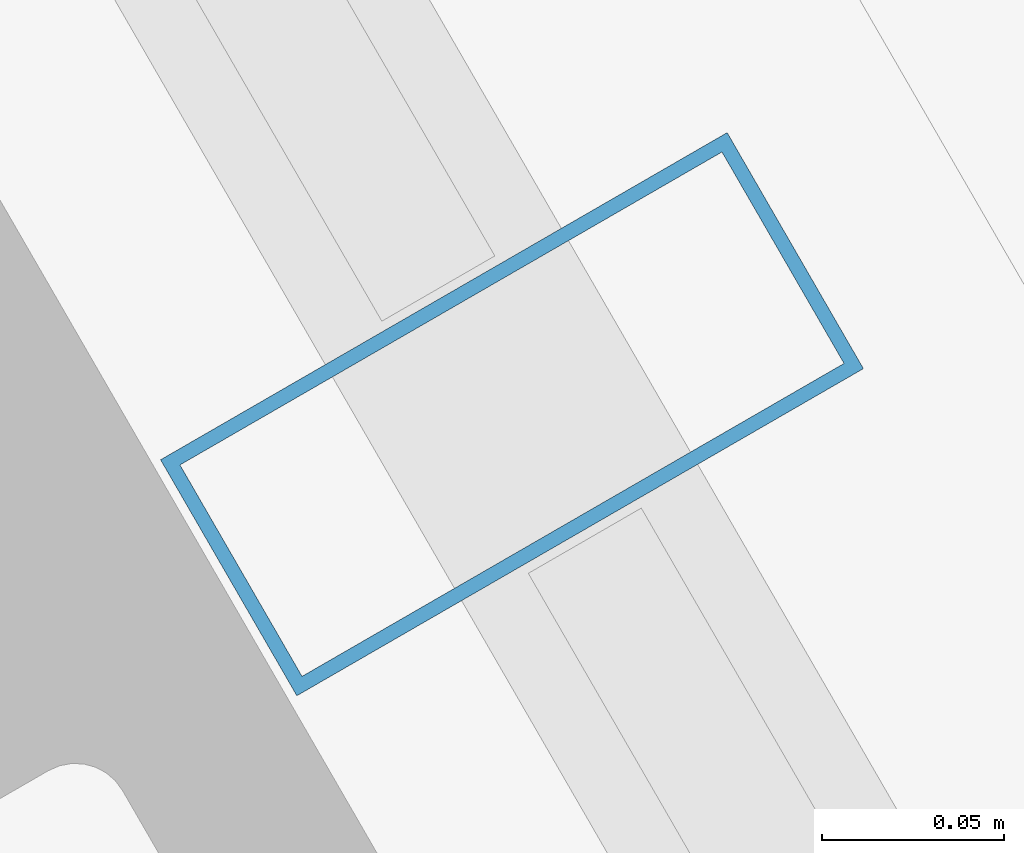
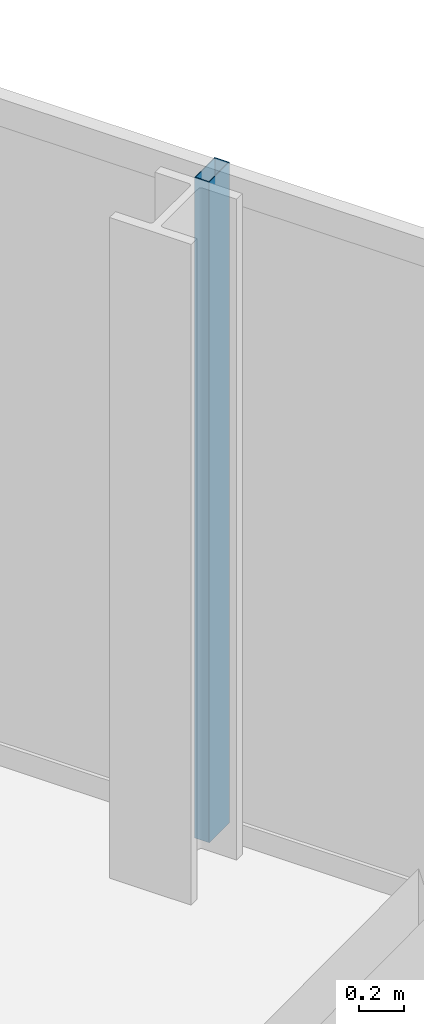
# One storey, part 18 of 33: 1 member, 1 element without a shape of its own.
"""IFC4 building model written with IfcOpenShell, lengths in metres."""

from ifc_helpers import new_model, si_unit, direction, frame, origin, origin_2d, place, context, subcontext, project, spatial, hollow_rectangle, extrude, material, layer, layer_set, material_profile, profile_set, type_object, element, aggregate, save


model = new_model("IFC4")

# Units and contexts
model_context = context("Model", 3, precision=1e-05, world=origin(), true_north=direction((0.0, 1.0)))
body_context = subcontext(model_context, "Body", "Model", "MODEL_VIEW")
ifc_project = project(units=[si_unit("LENGTHUNIT", "METRE"), si_unit("AREAUNIT", "SQUARE_METRE"), si_unit("VOLUMEUNIT", "CUBIC_METRE"), si_unit("PLANEANGLEUNIT", "RADIAN"), si_unit("MASSUNIT", "GRAM", prefix="KILO")], contexts=[model_context])

# Site, building, storey
site_placement = place(None, origin())
site = spatial("IfcSite", under=ifc_project, at=site_placement, CompositionType="ELEMENT")
building_placement = place(site_placement, origin())
building = spatial("IfcBuilding", under=site, at=building_placement, Name="Ndaravel Arena Tower", CompositionType="ELEMENT")
storey_placement = place(building_placement, frame((0.0, 0.0, 161.199951171875)))
storey = spatial("IfcBuildingStorey", under=building, at=storey_placement, Name="L38", CompositionType="ELEMENT", Elevation=161.199951171875)

# Curtain wall, member
ifc_material_1 = material(Name="Aluminium", Category="aluminium")
ifc_layer = layer(ifc_material_1, 0.179931640625)
ifc_layer_set = layer_set([ifc_layer], Name="Aluminium")
curtain_wall_type = type_object("IfcCurtainWallType", Name="CW-SYS-03", PredefinedType="NOTDEFINED", material=ifc_layer_set)
curtain_wall_placement = place(storey_placement, origin())
curtain_wall = element("IfcCurtainWall", 1, at=curtain_wall_placement, inside=storey, type_object=curtain_wall_type, Name="L38 Faceted Crystal Curtain Wall CW-L38-E03", PredefinedType="NOTDEFINED")
ifc_material_2 = material(Name="Aluminium", Category="aluminium")
ifc_material_profile = material_profile(ifc_material_2, hollow_rectangle(XDim=0.074951171875, YDim=0.179931640625, WallThickness=0.00390625, at=origin_2d()), Name="CW MULLION 75x180x4")
ifc_profile_set = profile_set([ifc_material_profile], Name="Aluminium")
member_type = type_object("IfcMemberType", Name="MEM-CW-MUL180", PredefinedType="MULLION", material=ifc_profile_set)
member_placement = place(storey_placement, frame((56.500244140625, 30.275146484375, 0.0), z_axis=(0.0, 0.0, 1.0), x_axis=(-0.5, 0.866025403784, 0.0)))
member = element("IfcMember", 2, at=member_placement, type_object=member_type, Name="CW-L38-E03 Mullion 04", PredefinedType="MULLION", context=body_context, shape_type="SweptSolid", body=[
    extrude(hollow_rectangle(XDim=0.074951171875, YDim=0.179931640625, WallThickness=0.00390625, at=origin_2d()), origin(), (0.0, 0.0, 1.0), 3.580078125),
])
aggregate(curtain_wall, [member])

save(model, "model.ifc")
